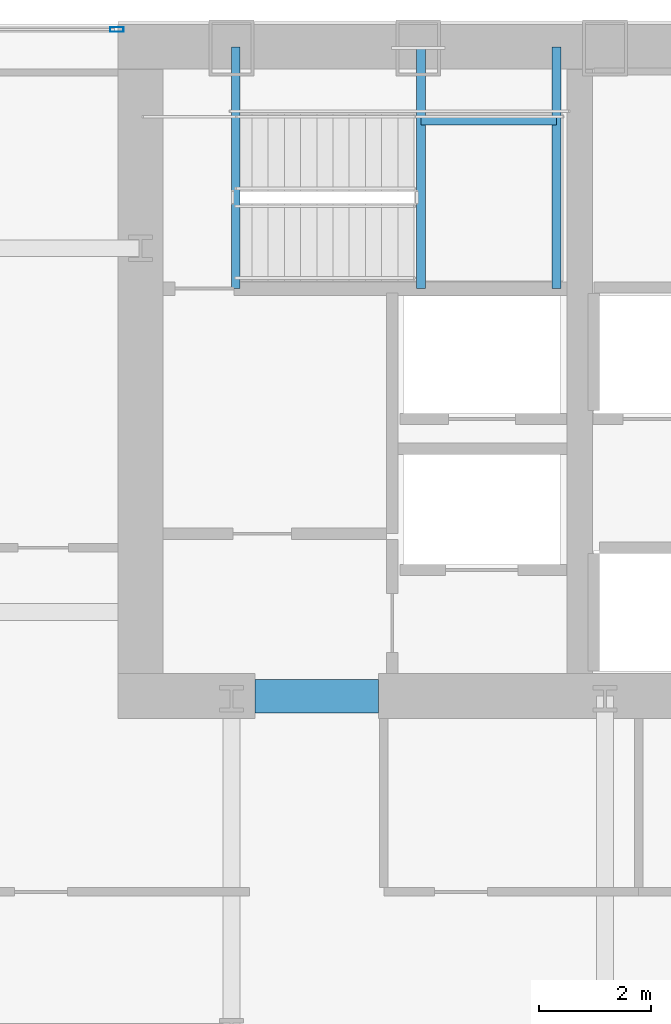
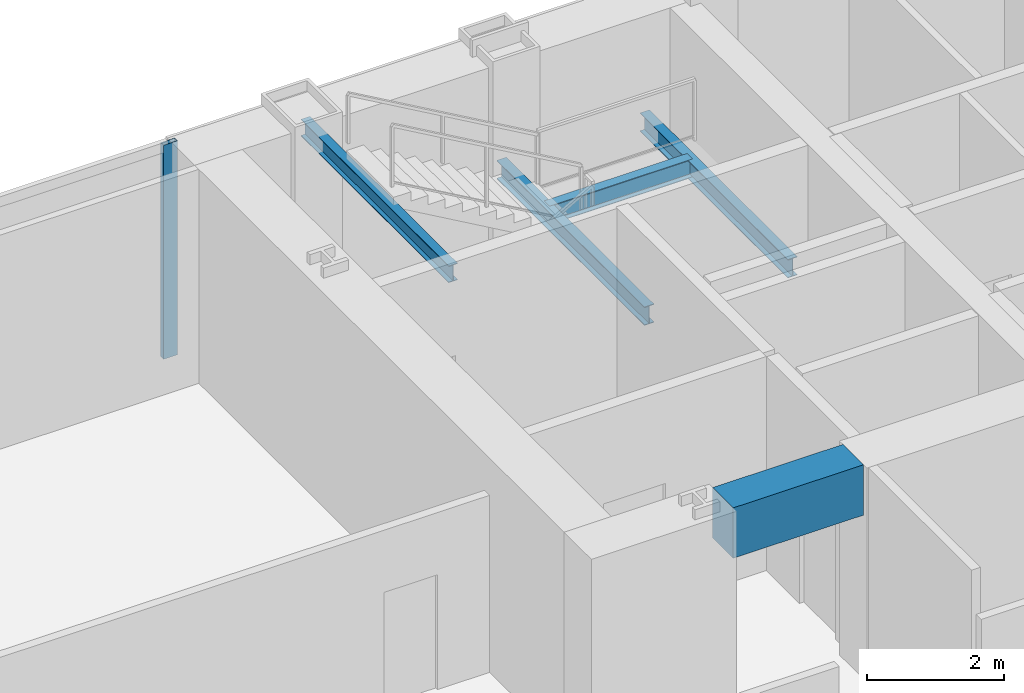
# One storey, part 18 of 36: 5 beams, 1 member, 1 element without a shape of its own.
"""IFC4 building model written with IfcOpenShell, lengths in metres."""

from ifc_helpers import new_model, si_unit, direction, frame, origin, origin_2d, place, context, subcontext, project, spatial, rectangle, hollow_rectangle, i_section, extrude, material, material_profile, profile_set, type_object, element, aggregate, save


model = new_model("IFC4")

# Units and contexts
model_context = context("Model", 3, precision=1e-05, world=origin(), true_north=direction((0.0, 1.0)))
body_context = subcontext(model_context, "Body", "Model", "MODEL_VIEW")
ifc_project = project(units=[si_unit("LENGTHUNIT", "METRE"), si_unit("AREAUNIT", "SQUARE_METRE"), si_unit("VOLUMEUNIT", "CUBIC_METRE"), si_unit("PLANEANGLEUNIT", "RADIAN"), si_unit("MASSUNIT", "GRAM", prefix="KILO")], contexts=[model_context])

# Site, building, storey
site_placement = place(None, origin())
site = spatial("IfcSite", under=ifc_project, at=site_placement, CompositionType="ELEMENT")
building_placement = place(site_placement, origin())
building = spatial("IfcBuilding", under=site, at=building_placement, Name="Khoronbel Lancet Exchange", CompositionType="ELEMENT")
storey_placement = place(building_placement, frame((0.0, 0.0, 57.800048828125)))
storey = spatial("IfcBuildingStorey", under=building, at=storey_placement, Name="L13", CompositionType="ELEMENT", Elevation=57.800048828125)

# Beams
ifc_material_1 = material(Name="Steel S355", Category="steel")
ifc_material_profile_1 = material_profile(ifc_material_1, i_section(OverallWidth=0.159912109375, OverallDepth=0.330078125, WebThickness=0.007568359375, FlangeThickness=0.011474609375, at=origin_2d()), Name="IPE 330")
ifc_profile_set_1 = profile_set([ifc_material_profile_1], Name="Steel S355")
beam_type_1 = type_object("IfcBeamType", Name="BM-BJ7", PredefinedType="JOIST", material=ifc_profile_set_1)
for number, where, z_axis, x_axis, name in (
    (1, (21.610107421875, 48.97998046875, 1.635009765625), (0.0, 1.0, 0.0), (-1.0, 0.0, 0.0), "Level L13 stair ST1 landing bearer beam 1"),
    (2, (24.030029296875, 48.97998046875, 1.635009765625), (0.0, 1.0, 0.0), (-1.0, 0.0, 0.0), "Level L13 stair ST1 rear landing bearer beam 1"),
):
    element("IfcBeam", number, at=place(storey_placement, frame(where, z_axis=z_axis, x_axis=x_axis)), inside=storey, type_object=beam_type_1, Name=name, PredefinedType="JOIST", context=body_context, shape_type="SweptSolid", body=[
        extrude(i_section(OverallWidth=0.159912109375, OverallDepth=0.330078125, WebThickness=0.007568359375, FlangeThickness=0.011474609375, at=origin_2d()), origin(), (0.0, 0.0, 1.0), 4.320068359375),
    ])
beam_1_placement = place(storey_placement, frame((21.610107421875, 51.97998046875, 1.635009765625), z_axis=(1.0, 0.0, 0.0), x_axis=(0.0, 1.0, 0.0)))
element("IfcBeam", 3, at=beam_1_placement, inside=storey, type_object=beam_type_1, Name="Level L13 stair ST1 landing cross trimmer beam 1", PredefinedType="JOIST", context=body_context, shape_type="SweptSolid", body=[
    extrude(i_section(OverallWidth=0.159912109375, OverallDepth=0.330078125, WebThickness=0.007568359375, FlangeThickness=0.011474609375, at=origin_2d()), origin(), (0.0, 0.0, 1.0), 2.419921875),
])
ifc_material_profile_2 = material_profile(ifc_material_1, i_section(OverallWidth=0.14990234375, OverallDepth=0.300048828125, WebThickness=0.007080078125, FlangeThickness=0.0107421875, at=origin_2d()), Name="IPE 300")
ifc_profile_set_2 = profile_set([ifc_material_profile_2], Name="Steel S355")
beam_type_2 = type_object("IfcBeamType", Name="BM-BJ8", PredefinedType="JOIST", material=ifc_profile_set_2)
beam_2_placement = place(storey_placement, frame((18.300048828125, 48.97998046875, 3.5400390625), z_axis=(0.0, 1.0, 0.0), x_axis=(-1.0, 0.0, 0.0)))
element("IfcBeam", 4, at=beam_2_placement, inside=storey, type_object=beam_type_2, Name="Level L13 stair ST1 upper-flight arrival trimmer beam", PredefinedType="JOIST", context=body_context, shape_type="SweptSolid", body=[
    extrude(i_section(OverallWidth=0.14990234375, OverallDepth=0.300048828125, WebThickness=0.007080078125, FlangeThickness=0.0107421875, at=origin_2d()), origin(), (0.0, 0.0, 1.0), 4.320068359375),
])
ifc_material_2 = material(Name="Concrete C80/95", Category="concrete")
ifc_material_profile_3 = material_profile(ifc_material_2, rectangle(XDim=0.60009765625, YDim=0.89990234375, at=origin_2d()), Name="RC 600x900")
ifc_profile_set_3 = profile_set([ifc_material_profile_3], Name="Concrete C80/95")
beam_type_3 = type_object("IfcBeamType", Name="BM-BL1", PredefinedType="LINTEL", material=ifc_profile_set_3)
beam_3_placement = place(storey_placement, frame((18.64990234375, 41.699951171875, 3.369873046875), z_axis=(1.0, 0.0, 0.0), x_axis=(0.0, 1.0, 0.0)))
element("IfcBeam", 5, at=beam_3_placement, inside=storey, type_object=beam_type_3, Name="Level L13 rear core coupling lintel L1", PredefinedType="LINTEL", context=body_context, shape_type="SweptSolid", body=[
    extrude(rectangle(XDim=0.60009765625, YDim=0.89990234375, at=origin_2d()), origin(), (0.0, 0.0, 1.0), 2.2001953125),
])

# Curtain wall, member
ifc_material_3 = material(Name="Low-E Solar Control Insulating Glass", Category="glass")
curtain_wall_type = type_object("IfcCurtainWallType", Name="CW-1", PredefinedType="NOTDEFINED", material=ifc_material_3)
curtain_wall_placement = place(storey_placement, origin())
curtain_wall = element("IfcCurtainWall", 6, at=curtain_wall_placement, inside=storey, type_object=curtain_wall_type, Name="Unitised curtain wall CW-L13-NWFLK", PredefinedType="NOTDEFINED")
ifc_material_4 = material(Name="Bronze-Anodised Aluminium 6063-T6", Category="aluminium")
ifc_material_profile_4 = material_profile(ifc_material_4, hollow_rectangle(XDim=0.0849609375, YDim=0.239990234375, WallThickness=0.006103515625, at=origin_2d()), Name="ALU MULLION 85x240")
ifc_profile_set_4 = profile_set([ifc_material_profile_4], Name="Bronze-Anodised Aluminium 6063-T6")
member_type = type_object("IfcMemberType", Name="MEM-CWM1", PredefinedType="MULLION", material=ifc_profile_set_4)
member_placement = place(storey_placement, frame((16.177490234375, 53.610107421875, 0.0), z_axis=(0.0, 0.0, 1.0), x_axis=(0.0, -1.0, 0.0)))
member = element("IfcMember", 7, at=member_placement, type_object=member_type, Name="CW1 mullion 1", PredefinedType="MULLION", context=body_context, shape_type="SweptSolid", body=[
    extrude(hollow_rectangle(XDim=0.0849609375, YDim=0.239990234375, WallThickness=0.006103515625, at=origin_2d()), origin(), (0.0, 0.0, 1.0), 3.820068359375),
])
aggregate(curtain_wall, [member])

save(model, "model.ifc")
